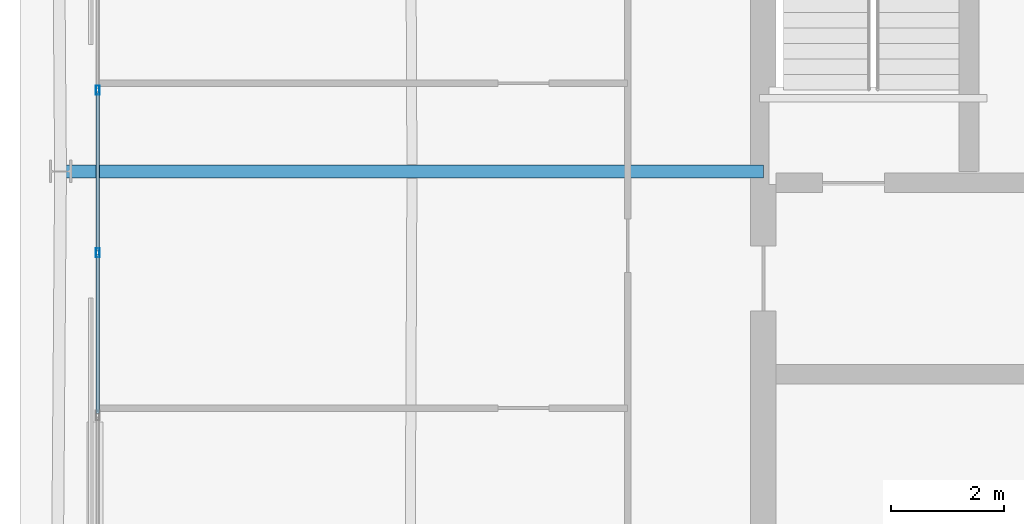
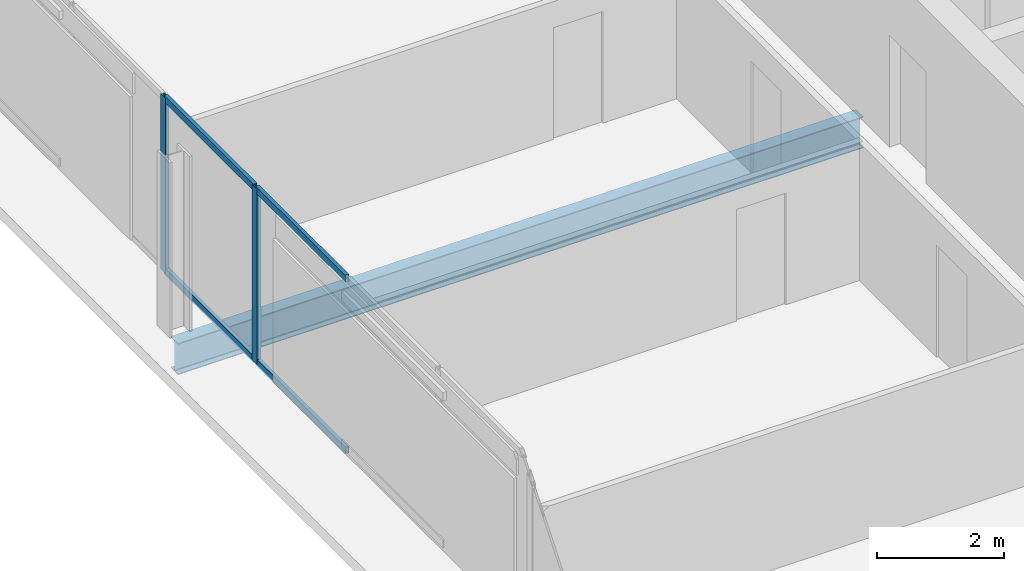
# One storey, part 13 of 39: 6 members, 1 beam, 1 element without a shape of its own.
"""IFC4 building model written with IfcOpenShell, lengths in metres."""

from ifc_helpers import new_model, si_unit, direction, frame, origin, origin_2d, place, context, subcontext, project, spatial, hollow_rectangle, i_section, extrude, material, layer, layer_set, material_profile, profile_set, type_object, element, aggregate, save


model = new_model("IFC4")

# Units and contexts
model_context = context("Model", 3, precision=1e-05, world=origin(), true_north=direction((0.0, 1.0)))
body_context = subcontext(model_context, "Body", "Model", "MODEL_VIEW")
ifc_project = project(units=[si_unit("LENGTHUNIT", "METRE"), si_unit("AREAUNIT", "SQUARE_METRE"), si_unit("VOLUMEUNIT", "CUBIC_METRE"), si_unit("PLANEANGLEUNIT", "RADIAN"), si_unit("MASSUNIT", "GRAM", prefix="KILO")], contexts=[model_context])

# Site, building, storey
site_placement = place(None, origin())
site = spatial("IfcSite", under=ifc_project, at=site_placement, CompositionType="ELEMENT")
building_placement = place(site_placement, origin())
building = spatial("IfcBuilding", under=site, at=building_placement, Name="Caelvoria Tower", CompositionType="ELEMENT")
storey_placement = place(building_placement, frame((0.0, 0.0, 198.60009765625)))
storey = spatial("IfcBuildingStorey", under=building, at=storey_placement, Name="L52", CompositionType="ELEMENT", Elevation=198.60009765625)

# Curtain wall, members
ifc_material_1 = material(Name="Anodised Bronze Aluminium and Low-E Glass", Category="aluminium")
ifc_layer = layer(ifc_material_1, 0.175048828125, Name="Anodised Bronze Aluminium and Low-E Glass")
ifc_layer_set = layer_set([ifc_layer], Name="CW System 4 High-Zone Tapered Crystal Facade - Anodised Bronze Aluminium and Low-E Glass")
curtain_wall_type = type_object("IfcCurtainWallType", Name="CW System 4 High-Zone Tapered Crystal Facade", PredefinedType="NOTDEFINED", material=ifc_layer_set)
curtain_wall_placement = place(storey_placement, origin())
curtain_wall = element("IfcCurtainWall", 1, at=curtain_wall_placement, inside=storey, type_object=curtain_wall_type, Name="CW-04 Curtain Wall L52-E6", PredefinedType="NOTDEFINED")
ifc_material_2 = material(Name="Anodised Bronze Architectural Aluminium", Category="aluminium")
ifc_material_profile_1 = material_profile(ifc_material_2, hollow_rectangle(XDim=0.06494140625, YDim=0.159912109375, WallThickness=0.00390625, at=origin_2d()), Name="Anodised Bronze Architectural Aluminium")
ifc_profile_set_1 = profile_set([ifc_material_profile_1], Name="CW_MULL_65X160 - Anodised Bronze Architectural Aluminium")
member_type_1 = type_object("IfcMemberType", Name="Curtain Wall Mullion 65x160 Bronze Aluminium", PredefinedType="MULLION", material=ifc_profile_set_1)
member_1_placement = place(storey_placement, frame((25.179931640625, 33.4443359375, 0.0), z_axis=(0.0, 0.0, 1.0), x_axis=(1.0, 0.0, 0.0)))
member_1 = element("IfcMember", 2, at=member_1_placement, type_object=member_type_1, Name="CW-04 mullion 5", PredefinedType="MULLION", context=body_context, shape_type="SweptSolid", body=[
    extrude(hollow_rectangle(XDim=0.06494140625, YDim=0.159912109375, WallThickness=0.00390625, at=origin_2d()), origin(), (0.0, 0.0, 1.0), 3.375),
])
member_2_placement = place(storey_placement, frame((25.179931640625, 30.5556640625, 0.0), z_axis=(0.0, 0.0, 1.0), x_axis=(1.0, 0.0, 0.0)))
member_2 = element("IfcMember", 3, at=member_2_placement, type_object=member_type_1, Name="CW-04 mullion 6", PredefinedType="MULLION", context=body_context, shape_type="SweptSolid", body=[
    extrude(hollow_rectangle(XDim=0.06494140625, YDim=0.159912109375, WallThickness=0.00390625, at=origin_2d()), origin(), (0.0, 0.0, 1.0), 3.375),
])
ifc_material_profile_2 = material_profile(ifc_material_2, hollow_rectangle(XDim=0.06494140625, YDim=0.1298828125, WallThickness=0.00341796875, at=origin_2d()), Name="Anodised Bronze Architectural Aluminium")
ifc_profile_set_2 = profile_set([ifc_material_profile_2], Name="CW_TRAN_65X130 - Anodised Bronze Architectural Aluminium")
member_type_2 = type_object("IfcMemberType", Name="Curtain Wall Transom 65x130 Bronze Aluminium", PredefinedType="USERDEFINED", material=ifc_profile_set_2)
member_3_placement = place(storey_placement, frame((25.179931640625, 33.411865234375, 0.032470703125), z_axis=(0.0, -1.0, 0.0), x_axis=(1.0, 0.0, 0.0)))
member_3 = element("IfcMember", 4, at=member_3_placement, type_object=member_type_2, Name="CW-04 transom 5.1", ObjectType="TRANSOM", PredefinedType="USERDEFINED", context=body_context, shape_type="SweptSolid", body=[
    extrude(hollow_rectangle(XDim=0.06494140625, YDim=0.1298828125, WallThickness=0.00341796875, at=origin_2d()), origin(), (0.0, 0.0, 1.0), 2.82373046875),
])
member_4_placement = place(storey_placement, frame((25.179931640625, 33.411865234375, 3.34228515625), z_axis=(0.0, -1.0, 0.0), x_axis=(1.0, 0.0, 0.0)))
member_4 = element("IfcMember", 5, at=member_4_placement, type_object=member_type_2, Name="CW-04 transom 5.2", ObjectType="TRANSOM", PredefinedType="USERDEFINED", context=body_context, shape_type="SweptSolid", body=[
    extrude(hollow_rectangle(XDim=0.06494140625, YDim=0.1298828125, WallThickness=0.00341796875, at=origin_2d()), origin(), (0.0, 0.0, 1.0), 2.82373046875),
])
member_5_placement = place(storey_placement, frame((25.179931640625, 30.52294921875, 0.032470703125), z_axis=(0.0, -1.0, 0.0), x_axis=(1.0, 0.0, 0.0)))
member_5 = element("IfcMember", 6, at=member_5_placement, type_object=member_type_2, Name="CW-04 transom 6.1", ObjectType="TRANSOM", PredefinedType="USERDEFINED", context=body_context, shape_type="SweptSolid", body=[
    extrude(hollow_rectangle(XDim=0.06494140625, YDim=0.1298828125, WallThickness=0.00341796875, at=origin_2d()), origin(), (0.0, 0.0, 1.0), 2.82373046875),
])
member_6_placement = place(storey_placement, frame((25.179931640625, 30.52294921875, 3.34228515625), z_axis=(0.0, -1.0, 0.0), x_axis=(1.0, 0.0, 0.0)))
member_6 = element("IfcMember", 7, at=member_6_placement, type_object=member_type_2, Name="CW-04 transom 6.2", ObjectType="TRANSOM", PredefinedType="USERDEFINED", context=body_context, shape_type="SweptSolid", body=[
    extrude(hollow_rectangle(XDim=0.06494140625, YDim=0.1298828125, WallThickness=0.00341796875, at=origin_2d()), origin(), (0.0, 0.0, 1.0), 2.82373046875),
])
aggregate(curtain_wall, [member_1, member_2, member_3, member_4, member_5, member_6])

# Beam
ifc_material_3 = material(Name="Structural Steel ASTM A992 Gr.50", Category="steel")
ifc_material_profile_3 = material_profile(ifc_material_3, i_section(OverallWidth=0.22802734375, OverallDepth=0.60302734375, WebThickness=0.010498046875, FlangeThickness=0.014892578125, FilletRadius=0.01806640625, at=origin_2d()), Name="Structural Steel ASTM A992 Gr.50")
ifc_profile_set_3 = profile_set([ifc_material_profile_3], Name="W610X101 - Structural Steel ASTM A992 Gr.50")
beam_type = type_object("IfcBeamType", Name="Primary Floor Girder W610X101", PredefinedType="BEAM", material=ifc_profile_set_3)
beam_placement = place(storey_placement, frame((37.0, 32.0, -0.526611328125), z_axis=(-1.0, 0.0, 0.0), x_axis=(0.0, -1.0, 0.0)))
element("IfcBeam", 8, at=beam_placement, inside=storey, type_object=beam_type, Name="Primary Floor Girder L52-10", PredefinedType="BEAM", context=body_context, shape_type="SweptSolid", body=[
    extrude(i_section(OverallWidth=0.22802734375, OverallDepth=0.60302734375, WebThickness=0.010498046875, FlangeThickness=0.014892578125, FilletRadius=0.01806640625, at=origin_2d()), origin(), (0.0, 0.0, 1.0), 12.47998046875),
])

save(model, "model.ifc")
